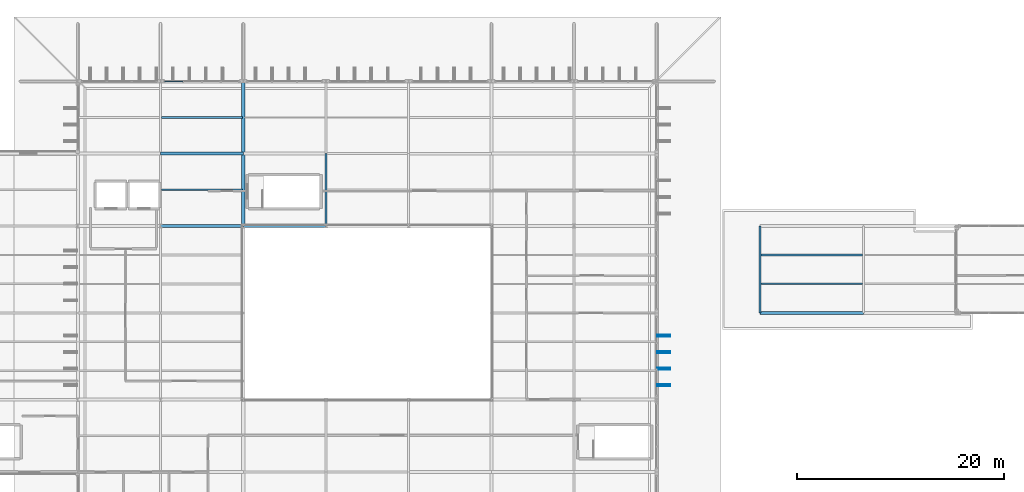
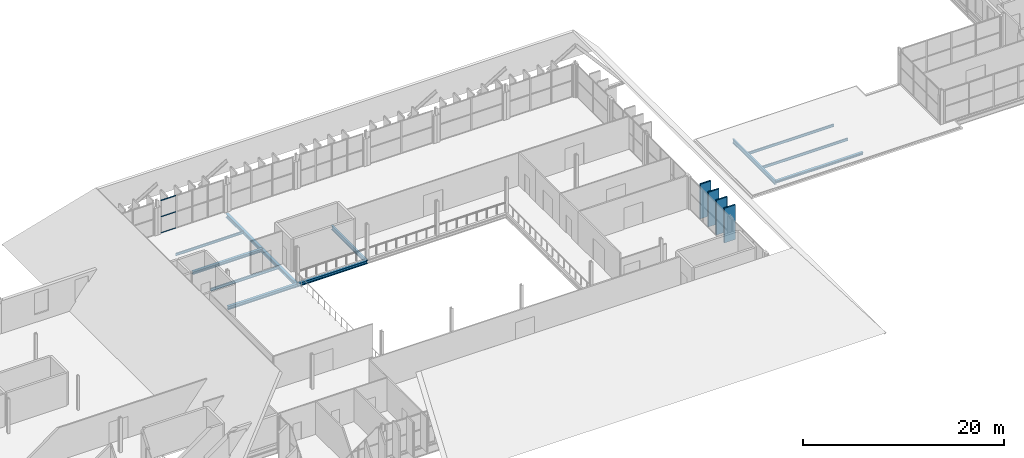
# One storey, part 45 of 93: 11 beams, 7 members, 1 element without a shape of its own.
"""IFC4 building model written with IfcOpenShell, lengths in metres."""

from ifc_helpers import new_model, si_unit, direction, frame, origin, origin_2d, place, context, subcontext, project, spatial, hollow_rectangle, i_section, extrude, material, layer, layer_set, material_profile, profile_set, type_object, element, aggregate, save


model = new_model("IFC4")

# Units and contexts
model_context = context("Model", 3, precision=1e-05, world=origin(), true_north=direction((0.0, 1.0)))
body_context = subcontext(model_context, "Body", "Model", "MODEL_VIEW")
ifc_project = project(units=[si_unit("LENGTHUNIT", "METRE"), si_unit("AREAUNIT", "SQUARE_METRE"), si_unit("VOLUMEUNIT", "CUBIC_METRE"), si_unit("PLANEANGLEUNIT", "RADIAN"), si_unit("MASSUNIT", "GRAM", prefix="KILO")], contexts=[model_context])

# Site, building, storey
site_placement = place(None, origin())
site = spatial("IfcSite", under=ifc_project, at=site_placement, CompositionType="ELEMENT")
building_placement = place(site_placement, origin())
building = spatial("IfcBuilding", under=site, at=building_placement, Name="Vekula Escarpment Museum", CompositionType="ELEMENT")
storey_placement = place(building_placement, frame((0.0, 0.0, 22.199951171875)))
storey = spatial("IfcBuildingStorey", under=building, at=storey_placement, Name="L05", CompositionType="ELEMENT", Elevation=22.199951171875)

# Beams
ifc_material_1 = material(Name="Steel S355", Category="steel")
ifc_material_profile_1 = material_profile(ifc_material_1, i_section(OverallWidth=0.280029296875, OverallDepth=0.280029296875, WebThickness=0.010498046875, FlangeThickness=0.01806640625, FilletRadius=0.02392578125, at=origin_2d()), Name="HEB 280")
ifc_profile_set_1 = profile_set([ifc_material_profile_1], Name="Steel S355")
beam_type_1 = type_object("IfcBeamType", Name="BM-GIRD-HEB280", PredefinedType="BEAM", material=ifc_profile_set_1)
beam_1_placement = place(storey_placement, frame((136.0, 68.0, -0.33984375), z_axis=(1.0, 0.0, 0.0), x_axis=(0.0, 1.0, 0.0)))
element("IfcBeam", 1, at=beam_1_placement, inside=storey, type_object=beam_type_1, Name="Beam X L05 2003", PredefinedType="BEAM", context=body_context, shape_type="SweptSolid", body=[
    extrude(i_section(OverallWidth=0.280029296875, OverallDepth=0.280029296875, WebThickness=0.010498046875, FlangeThickness=0.01806640625, FilletRadius=0.02392578125, at=origin_2d()), origin(), (0.0, 0.0, 1.0), 10.0),
])
ifc_material_2 = material(Name="Steel S355", Category="steel")
ifc_material_profile_2 = material_profile(ifc_material_2, i_section(OverallWidth=0.300048828125, OverallDepth=0.360107421875, WebThickness=0.012451171875, FlangeThickness=0.0224609375, FilletRadius=0.027099609375, at=origin_2d()), Name="HEB 360")
ifc_profile_set_2 = profile_set([ifc_material_profile_2], Name="Steel S355")
beam_type_2 = type_object("IfcBeamType", Name="BM-GIRD-HEB360", PredefinedType="BEAM", material=ifc_profile_set_2)
beam_2_placement = place(storey_placement, frame((78.0, 83.39990234375, -0.39990234375), z_axis=(1.0, 0.0, 0.0), x_axis=(0.0, 1.0, 0.0)))
element("IfcBeam", 2, at=beam_2_placement, inside=storey, type_object=beam_type_2, Name="Beam X L05 2037", PredefinedType="BEAM", context=body_context, shape_type="SweptSolid", body=[
    extrude(i_section(OverallWidth=0.300048828125, OverallDepth=0.360107421875, WebThickness=0.012451171875, FlangeThickness=0.0224609375, FilletRadius=0.027099609375, at=origin_2d()), origin(), (0.0, 0.0, 1.0), 8.0),
])
ifc_material_3 = material(Name="Steel S355", Category="steel")
ifc_material_profile_3 = material_profile(ifc_material_3, i_section(OverallWidth=0.199951171875, OverallDepth=0.5, WebThickness=0.01025390625, FlangeThickness=0.01611328125, FilletRadius=0.02099609375, at=origin_2d()), Name="IPE 500")
ifc_profile_set_3 = profile_set([ifc_material_profile_3], Name="Steel S355")
beam_type_3 = type_object("IfcBeamType", Name="BM-GIRD-IPE500", PredefinedType="BEAM", material=ifc_profile_set_3)
beam_3_placement = place(storey_placement, frame((94.0, 76.39990234375, -0.469970703125), z_axis=(0.0, 1.0, 0.0), x_axis=(-1.0, 0.0, 0.0)))
element("IfcBeam", 3, at=beam_3_placement, inside=storey, type_object=beam_type_3, Name="Beam Y L05 2136", PredefinedType="BEAM", context=body_context, shape_type="SweptSolid", body=[
    extrude(i_section(OverallWidth=0.199951171875, OverallDepth=0.5, WebThickness=0.01025390625, FlangeThickness=0.01611328125, FilletRadius=0.02099609375, at=origin_2d()), origin(), (0.0, 0.0, 1.0), 7.0),
])
beam_4_placement = place(storey_placement, frame((136.0, 68.0, -0.449951171875), z_axis=(0.0, 1.0, 0.0), x_axis=(-1.0, 0.0, 0.0)))
element("IfcBeam", 4, at=beam_4_placement, inside=storey, type_object=beam_type_3, Name="Beam Y L05 2154", PredefinedType="BEAM", context=body_context, shape_type="SweptSolid", body=[
    extrude(i_section(OverallWidth=0.199951171875, OverallDepth=0.5, WebThickness=0.01025390625, FlangeThickness=0.01611328125, FilletRadius=0.02099609375, at=origin_2d()), origin(), (0.0, 0.0, 1.0), 8.39990234375),
])
ifc_material_4 = material(Name="Steel S355", Category="steel")
ifc_material_profile_4 = material_profile(ifc_material_4, i_section(OverallWidth=0.14990234375, OverallDepth=0.300048828125, WebThickness=0.007080078125, FlangeThickness=0.0107421875, FilletRadius=0.014892578125, at=origin_2d()), Name="IPE 300")
ifc_profile_set_4 = profile_set([ifc_material_profile_4], Name="Steel S355")
beam_type_4 = type_object("IfcBeamType", Name="BM-JST-IPE300", PredefinedType="JOIST", material=ifc_profile_set_4)
beam_5_placement = place(storey_placement, frame((78.090087890625, 86.89990234375, -0.369873046875), z_axis=(1.0, 0.0, 0.0), x_axis=(0.0, 1.0, 0.0)))
element("IfcBeam", 5, at=beam_5_placement, inside=storey, type_object=beam_type_4, Name="Secondary Joist L05 1354", PredefinedType="JOIST", context=body_context, shape_type="SweptSolid", body=[
    extrude(i_section(OverallWidth=0.14990234375, OverallDepth=0.300048828125, WebThickness=0.007080078125, FlangeThickness=0.0107421875, FilletRadius=0.014892578125, at=origin_2d()), origin(), (0.0, 0.0, 1.0), 7.81982421875),
])
for number, where, z_axis, x_axis, name in (
    (6, (136.090087890625, 70.800048828125, -0.349853515625), (1.0, 0.0, 0.0), (0.0, 1.0, 0.0), "Secondary Joist L05 1381"),
    (7, (136.090087890625, 73.60009765625, -0.349853515625), (1.0, 0.0, 0.0), (0.0, 1.0, 0.0), "Secondary Joist L05 1382"),
):
    element("IfcBeam", number, at=place(storey_placement, frame(where, z_axis=z_axis, x_axis=x_axis)), inside=storey, type_object=beam_type_4, Name=name, PredefinedType="JOIST", context=body_context, shape_type="SweptSolid", body=[
        extrude(i_section(OverallWidth=0.14990234375, OverallDepth=0.300048828125, WebThickness=0.007080078125, FlangeThickness=0.0107421875, FilletRadius=0.014892578125, at=origin_2d()), origin(), (0.0, 0.0, 1.0), 9.81982421875),
    ])
ifc_material_5 = material(Name="Steel S355", Category="steel")
ifc_material_profile_5 = material_profile(ifc_material_5, i_section(OverallWidth=0.159912109375, OverallDepth=0.330078125, WebThickness=0.007568359375, FlangeThickness=0.011474609375, FilletRadius=0.01806640625, at=origin_2d()), Name="IPE 330")
ifc_profile_set_5 = profile_set([ifc_material_profile_5], Name="Steel S355")
beam_type_5 = type_object("IfcBeamType", Name="BM-JST-IPE330", PredefinedType="JOIST", material=ifc_profile_set_5)
beam_6_placement = place(storey_placement, frame((78.090087890625, 79.89990234375, -0.385009765625), z_axis=(1.0, 0.0, 0.0), x_axis=(0.0, 1.0, 0.0)))
element("IfcBeam", 8, at=beam_6_placement, inside=storey, type_object=beam_type_5, Name="Secondary Joist L05 1353", PredefinedType="JOIST", context=body_context, shape_type="SweptSolid", body=[
    extrude(i_section(OverallWidth=0.159912109375, OverallDepth=0.330078125, WebThickness=0.007568359375, FlangeThickness=0.011474609375, FilletRadius=0.01806640625, at=origin_2d()), origin(), (0.0, 0.0, 1.0), 7.81982421875),
])
ifc_material_6 = material(Name="Steel S355", Category="steel")
ifc_material_profile_6 = material_profile(ifc_material_6, i_section(OverallWidth=0.300048828125, OverallDepth=0.389892578125, WebThickness=0.010986328125, FlangeThickness=0.01904296875, FilletRadius=0.027099609375, at=origin_2d()), Name="HEA 400")
ifc_profile_set_6 = profile_set([ifc_material_profile_6], Name="Steel S355")
beam_type_6 = type_object("IfcBeamType", Name="BM-SPAN-HEA400", PredefinedType="SPANDREL", material=ifc_profile_set_6)
for number, where, z_axis, x_axis, name in (
    (9, (78.0, 76.39990234375, -0.4150390625), (1.0, 0.0, 0.0), (0.0, 1.0, 0.0), "Beam X L05 2017"),
    (10, (86.0, 76.39990234375, -0.4150390625), (1.0, 0.0, 0.0), (0.0, 1.0, 0.0), "Beam X L05 2018"),
):
    element("IfcBeam", number, at=place(storey_placement, frame(where, z_axis=z_axis, x_axis=x_axis)), inside=storey, type_object=beam_type_6, Name=name, PredefinedType="SPANDREL", context=body_context, shape_type="SweptSolid", body=[
        extrude(i_section(OverallWidth=0.300048828125, OverallDepth=0.389892578125, WebThickness=0.010986328125, FlangeThickness=0.01904296875, FilletRadius=0.027099609375, at=origin_2d()), origin(), (0.0, 0.0, 1.0), 8.0),
    ])
ifc_material_7 = material(Name="Steel S355", Category="steel")
ifc_material_profile_7 = material_profile(ifc_material_7, i_section(OverallWidth=0.300048828125, OverallDepth=0.43994140625, WebThickness=0.011474609375, FlangeThickness=0.02099609375, FilletRadius=0.027099609375, at=origin_2d()), Name="HEA 450")
ifc_profile_set_7 = profile_set([ifc_material_profile_7], Name="Steel S355")
beam_type_7 = type_object("IfcBeamType", Name="BM-SPAN-HEA450", PredefinedType="SPANDREL", material=ifc_profile_set_7)
beam_7_placement = place(storey_placement, frame((86.0, 76.39990234375, -0.43994140625), z_axis=(0.0, 1.0, 0.0), x_axis=(-1.0, 0.0, 0.0)))
element("IfcBeam", 11, at=beam_7_placement, inside=storey, type_object=beam_type_7, Name="Beam Y L05 2133", PredefinedType="SPANDREL", context=body_context, shape_type="SweptSolid", body=[
    extrude(i_section(OverallWidth=0.300048828125, OverallDepth=0.43994140625, WebThickness=0.011474609375, FlangeThickness=0.02099609375, FilletRadius=0.027099609375, at=origin_2d()), origin(), (0.0, 0.0, 1.0), 14.0),
])

# Curtain wall, members
ifc_material_8 = material(Name="Aluminium thermally broken framing", Category="aluminium")
ifc_layer = layer(ifc_material_8, 0.159912109375)
ifc_layer_set = layer_set([ifc_layer], Name="Aluminium thermally broken framing")
curtain_wall_type = type_object("IfcCurtainWallType", Name="CW-SYS-01", PredefinedType="NOTDEFINED", material=ifc_layer_set)
curtain_wall_placement = place(storey_placement, origin())
curtain_wall = element("IfcCurtainWall", 12, at=curtain_wall_placement, inside=storey, type_object=curtain_wall_type, Name="Curtain Wall CW-L05-181", PredefinedType="NOTDEFINED")
ifc_material_9 = material(Name="Aluminium anodized transom", Category="aluminium")
ifc_material_profile_8 = material_profile(ifc_material_9, hollow_rectangle(XDim=0.06005859375, YDim=0.1201171875, WallThickness=0.00390625, InnerFilletRadius=0.00390625, OuterFilletRadius=0.008056640625, at=origin_2d()), Name="ALU 120x60x4")
ifc_profile_set_8 = profile_set([ifc_material_profile_8], Name="Aluminium anodized transom")
member_type_1 = type_object("IfcMemberType", Name="CW-TRN-120", PredefinedType="USERDEFINED", material=ifc_profile_set_8)
member_1_placement = place(storey_placement, frame((80.14990234375, 90.39990234375, 0.030029296875), z_axis=(-1.0, 0.0, 0.0), x_axis=(0.0, -1.0, 0.0)))
member_1 = element("IfcMember", 13, at=member_1_placement, type_object=member_type_1, Name="CW-01 transom 4.1", ObjectType="TRANSOM", PredefinedType="USERDEFINED", context=body_context, shape_type="SweptSolid", body=[
    extrude(hollow_rectangle(XDim=0.06005859375, YDim=0.1201171875, WallThickness=0.00390625, InnerFilletRadius=0.00390625, OuterFilletRadius=0.008056640625, at=origin_2d()), origin(), (0.0, 0.0, 1.0), 1.72998046875),
])
member_2_placement = place(storey_placement, frame((80.14990234375, 90.39990234375, 1.989990234375), z_axis=(-1.0, 0.0, 0.0), x_axis=(0.0, -1.0, 0.0)))
member_2 = element("IfcMember", 14, at=member_2_placement, type_object=member_type_1, Name="CW-01 transom 4.2", ObjectType="TRANSOM", PredefinedType="USERDEFINED", context=body_context, shape_type="SweptSolid", body=[
    extrude(hollow_rectangle(XDim=0.06005859375, YDim=0.1201171875, WallThickness=0.00390625, InnerFilletRadius=0.00390625, OuterFilletRadius=0.008056640625, at=origin_2d()), origin(), (0.0, 0.0, 1.0), 1.72998046875),
])
member_3_placement = place(storey_placement, frame((80.14990234375, 90.39990234375, 3.949951171875), z_axis=(-1.0, 0.0, 0.0), x_axis=(0.0, -1.0, 0.0)))
member_3 = element("IfcMember", 15, at=member_3_placement, type_object=member_type_1, Name="CW-01 transom 4.3", ObjectType="TRANSOM", PredefinedType="USERDEFINED", context=body_context, shape_type="SweptSolid", body=[
    extrude(hollow_rectangle(XDim=0.06005859375, YDim=0.1201171875, WallThickness=0.00390625, InnerFilletRadius=0.00390625, OuterFilletRadius=0.008056640625, at=origin_2d()), origin(), (0.0, 0.0, 1.0), 1.72998046875),
])
aggregate(curtain_wall, [member_1, member_2, member_3])

# Members
ifc_material_10 = material(Name="Steel S355 weathered bronze solar fin", Category="steel")
ifc_material_profile_9 = material_profile(ifc_material_10, hollow_rectangle(XDim=0.179931640625, YDim=1.25, WallThickness=0.010009765625, InnerFilletRadius=0.010009765625, OuterFilletRadius=0.02001953125, at=origin_2d()), Name="RHS 1250x180x10")
ifc_profile_set_9 = profile_set([ifc_material_profile_9], Name="Steel S355 weathered bronze solar fin")
member_type_2 = type_object("IfcMemberType", Name="MB-SOLAR-FIN", PredefinedType="USERDEFINED", material=ifc_profile_set_9)
for number, where, z_axis, x_axis, name in (
    (16, (126.679931640625, 61.0, 0.0), (0.0, 0.0, 1.0), (0.0, 1.0, 0.0), "Great Hall Vertical Solar Fin 0370"),
    (17, (126.679931640625, 62.60009765625, 0.0), (0.0, 0.0, 1.0), (0.0, 1.0, 0.0), "Great Hall Vertical Solar Fin 0375"),
    (18, (126.679931640625, 64.199951171875, 0.0), (0.0, 0.0, 1.0), (0.0, 1.0, 0.0), "Great Hall Vertical Solar Fin 0380"),
    (19, (126.679931640625, 65.800048828125, 0.0), (0.0, 0.0, 1.0), (0.0, 1.0, 0.0), "Great Hall Vertical Solar Fin 0385"),
):
    element("IfcMember", number, at=place(storey_placement, frame(where, z_axis=z_axis, x_axis=x_axis)), inside=storey, type_object=member_type_2, Name=name, ObjectType="SOLAR FIN", PredefinedType="USERDEFINED", context=body_context, shape_type="SweptSolid", body=[
        extrude(hollow_rectangle(XDim=0.179931640625, YDim=1.25, WallThickness=0.010009765625, InnerFilletRadius=0.010009765625, OuterFilletRadius=0.02001953125, at=origin_2d()), origin(), (0.0, 0.0, 1.0), 4.199951171875),
    ])

save(model, "model.ifc")
